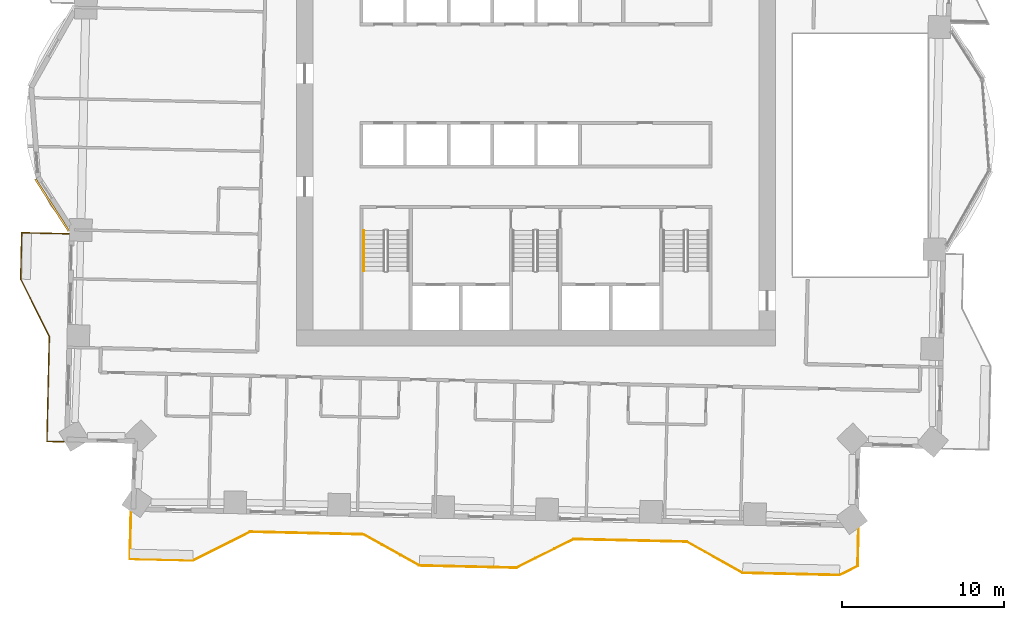
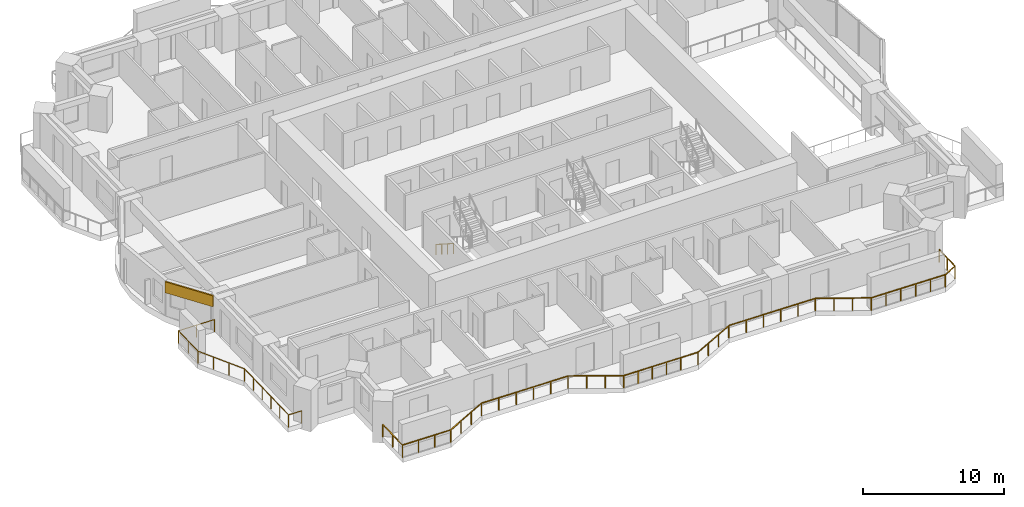
# One storey, part 13 of 16: 3 railings, 1 covering.
"""IFC4 building model written with IfcOpenShell, lengths in metres."""

from ifc_helpers import new_model, si_unit, direction, frame, frame_2d, origin, origin_2d, place, context, subcontext, project, spatial, rectangle, circle, extrude, material, layer, layer_set, type_object, element, save


model = new_model("IFC4")

# Units and contexts
model_context = context("Model", 3, precision=1e-05, world=origin(), true_north=direction((0.0, 1.0)))
body_context = subcontext(model_context, "Body", "Model", "MODEL_VIEW")
ifc_project = project(units=[si_unit("LENGTHUNIT", "METRE"), si_unit("AREAUNIT", "SQUARE_METRE"), si_unit("VOLUMEUNIT", "CUBIC_METRE"), si_unit("PLANEANGLEUNIT", "RADIAN"), si_unit("MASSUNIT", "GRAM", prefix="KILO")], contexts=[model_context])

# Site, building, storey
site_placement = place(None, origin())
site = spatial("IfcSite", under=ifc_project, at=site_placement, CompositionType="ELEMENT")
building_placement = place(site_placement, origin())
building = spatial("IfcBuilding", under=site, at=building_placement, Name="Mangrove Gate Tower", CompositionType="ELEMENT")
storey_placement = place(building_placement, frame((0.0, 0.0, 105.5)))
storey = spatial("IfcBuildingStorey", under=building, at=storey_placement, Name="L26", CompositionType="ELEMENT", Elevation=105.5)

# Railings
ifc_material_1 = material(Name="Stainless steel grade 316 with laminated glass infill", Category="steel")
railing_type_1 = type_object("IfcRailingType", Name="Balcony guard 1100", PredefinedType="GUARDRAIL", material=ifc_material_1)
railing_1_placement = place(storey_placement, frame((-28.89892578125, -4.85791015625, 0.0)))
element("IfcRailing", 1, at=railing_1_placement, inside=storey, type_object=railing_type_1, Name="GUARD L26 W2", PredefinedType="GUARDRAIL", context=body_context, shape_type="SweptSolid", body=[
    extrude(rectangle(XDim=0.048095703125, YDim=0.048095703125, at=origin_2d()), frame((0.0, 0.0, 1.076171875), z_axis=(-0.999743392495, 0.022652795902, 0.0), x_axis=(-0.022652795902, -0.999743392495, 0.0)), (0.0, 0.0, 1.0), 2.909912109375),
    extrude(rectangle(XDim=0.048095703125, YDim=0.048095703125, at=origin_2d()), frame((-2.9091796875, 0.06591796875, 1.076171875), z_axis=(-0.022590224177, -0.999744808324, 0.0), x_axis=(0.999744808324, -0.022590224177, 0.0)), (0.0, 0.0, 1.0), 2.874755859375),
    extrude(rectangle(XDim=0.048095703125, YDim=0.048095703125, at=origin_2d()), frame((-2.97412109375, -2.80810546875, 1.076171875), z_axis=(0.447114919141, -0.894476522376, 0.0), x_axis=(0.894476522376, 0.447114919141, 0.0)), (0.0, 0.0, 1.0), 3.958740234375),
    extrude(rectangle(XDim=0.048095703125, YDim=0.048095703125, at=origin_2d()), frame((-1.2041015625, -6.34912109375, 1.076171875), z_axis=(-0.022612191, -0.999744311721, 0.0), x_axis=(0.999744311721, -0.022612191, 0.0)), (0.0, 0.0, 1.0), 6.499755859375),
    extrude(rectangle(XDim=0.048095703125, YDim=0.048095703125, at=origin_2d()), frame((-1.35107421875, -12.84716796875, 1.076171875), z_axis=(0.999744919731, -0.022585293253, 0.0), x_axis=(0.022585293253, 0.999744919731, 0.0)), (0.0, 0.0, 1.0), 1.059326171875),
    extrude(rectangle(XDim=0.0419921875, YDim=0.0419921875, at=origin_2d()), origin(), (0.0, 0.0, 1.0), 1.052001953125),
    extrude(rectangle(XDim=0.0419921875, YDim=0.0419921875, at=origin_2d()), frame((-1.45458984375, 0.032958984375, 0.0)), (0.0, 0.0, 1.0), 1.052001953125),
    extrude(rectangle(XDim=0.0419921875, YDim=0.0419921875, at=origin_2d()), frame((-2.9091796875, 0.06591796875, 0.0)), (0.0, 0.0, 1.0), 1.052001953125),
    extrude(rectangle(XDim=0.0419921875, YDim=0.0419921875, at=origin_2d()), frame((-2.941650390625, -1.37109375, 0.0)), (0.0, 0.0, 1.0), 1.052001953125),
    extrude(rectangle(XDim=0.0419921875, YDim=0.0419921875, at=origin_2d()), frame((-2.97412109375, -2.80810546875, 0.0)), (0.0, 0.0, 1.0), 1.052001953125),
    extrude(rectangle(XDim=0.0419921875, YDim=0.0419921875, at=origin_2d()), frame((-2.384033203125, -3.988525390625, 0.0)), (0.0, 0.0, 1.0), 1.052001953125),
    extrude(rectangle(XDim=0.0419921875, YDim=0.0419921875, at=origin_2d()), frame((-1.794189453125, -5.168701171875, 0.0)), (0.0, 0.0, 1.0), 1.052001953125),
    extrude(rectangle(XDim=0.0419921875, YDim=0.0419921875, at=origin_2d()), frame((-1.2041015625, -6.34912109375, 0.0)), (0.0, 0.0, 1.0), 1.052001953125),
    extrude(rectangle(XDim=0.0419921875, YDim=0.0419921875, at=origin_2d()), frame((-1.2333984375, -7.648681640625, 0.0)), (0.0, 0.0, 1.0), 1.052001953125),
    extrude(rectangle(XDim=0.0419921875, YDim=0.0419921875, at=origin_2d()), frame((-1.262939453125, -8.9482421875, 0.0)), (0.0, 0.0, 1.0), 1.052001953125),
    extrude(rectangle(XDim=0.0419921875, YDim=0.0419921875, at=origin_2d()), frame((-1.292236328125, -10.248046875, 0.0)), (0.0, 0.0, 1.0), 1.052001953125),
    extrude(rectangle(XDim=0.0419921875, YDim=0.0419921875, at=origin_2d()), frame((-1.32177734375, -11.547607421875, 0.0)), (0.0, 0.0, 1.0), 1.052001953125),
    extrude(rectangle(XDim=0.0419921875, YDim=0.0419921875, at=origin_2d()), frame((-1.35107421875, -12.84716796875, 0.0)), (0.0, 0.0, 1.0), 1.052001953125),
    extrude(rectangle(XDim=0.0419921875, YDim=0.0419921875, at=origin_2d()), frame((-0.2919921875, -12.87109375, 0.0)), (0.0, 0.0, 1.0), 1.052001953125),
])
railing_2_placement = place(storey_placement, frame((-25.048095703125, -22.06396484375, 0.0)))
element("IfcRailing", 2, at=railing_2_placement, inside=storey, type_object=railing_type_1, Name="GUARD L26 S1", PredefinedType="GUARDRAIL", context=body_context, shape_type="SweptSolid", body=[
    extrude(rectangle(XDim=0.048095703125, YDim=0.048095703125, at=origin_2d()), frame((0.0, 0.0, 1.076171875), z_axis=(-0.022654696127, -0.999743349437, 0.0), x_axis=(0.999743349437, -0.022654696127, 0.0)), (0.0, 0.0, 1.0), 2.90966796875),
    extrude(rectangle(XDim=0.048095703125, YDim=0.048095703125, at=origin_2d()), frame((-0.06591796875, -2.908935546875, 1.076171875), z_axis=(0.999739473419, -0.022825102133, 0.0), x_axis=(0.022825102133, 0.999739473419, 0.0)), (0.0, 0.0, 1.0), 3.904052734375),
    extrude(rectangle(XDim=0.048095703125, YDim=0.048095703125, at=origin_2d()), frame((3.837158203125, -2.998046875, 1.076171875), z_axis=(0.894476522376, 0.447114919141, 0.0), x_axis=(-0.447114919141, 0.894476522376, 0.0)), (0.0, 0.0, 1.0), 3.958740234375),
    extrude(rectangle(XDim=0.048095703125, YDim=0.048095703125, at=origin_2d()), frame((7.378173828125, -1.22802734375, 1.076171875), z_axis=(0.999742177561, -0.022706351659, 0.0), x_axis=(0.022706351659, 0.999742177561, 0.0)), (0.0, 0.0, 1.0), 6.99951171875),
    extrude(rectangle(XDim=0.048095703125, YDim=0.048095703125, at=origin_2d()), frame((14.3759765625, -1.386962890625, 1.076171875), z_axis=(0.87325689943, -0.48726008209, 0.0), x_axis=(0.48726008209, 0.87325689943, 0.0)), (0.0, 0.0, 1.0), 3.958740234375),
    extrude(rectangle(XDim=0.048095703125, YDim=0.048095703125, at=origin_2d()), frame((17.8330078125, -3.31591796875, 1.076171875), z_axis=(0.999744404568, -0.02260808559, 0.0), x_axis=(0.02260808559, 0.999744404568, 0.0)), (0.0, 0.0, 1.0), 4.600341796875),
    extrude(rectangle(XDim=0.048095703125, YDim=0.048095703125, at=origin_2d()), frame((22.43212890625, -3.419921875, 1.076171875), z_axis=(0.999735131741, -0.023014481582, 0.0), x_axis=(0.023014481582, 0.999735131741, 0.0)), (0.0, 0.0, 1.0), 1.400390625),
    extrude(rectangle(XDim=0.048095703125, YDim=0.048095703125, at=origin_2d()), frame((23.83203125, -3.4521484375, 1.076171875), z_axis=(0.894476522376, 0.447114919141, 0.0), x_axis=(-0.447114919141, 0.894476522376, 0.0)), (0.0, 0.0, 1.0), 3.958740234375),
    extrude(rectangle(XDim=0.048095703125, YDim=0.048095703125, at=origin_2d()), frame((27.373046875, -1.68212890625, 1.076171875), z_axis=(0.999745352708, -0.022566119286, 0.0), x_axis=(0.022566119286, 0.999745352708, 0.0)), (0.0, 0.0, 1.0), 6.999755859375),
    extrude(rectangle(XDim=0.048095703125, YDim=0.048095703125, at=origin_2d()), frame((34.37109375, -1.840087890625, 1.076171875), z_axis=(0.87325689943, -0.48726008209, 0.0), x_axis=(0.48726008209, 0.87325689943, 0.0)), (0.0, 0.0, 1.0), 3.958740234375),
    extrude(rectangle(XDim=0.048095703125, YDim=0.048095703125, at=origin_2d()), frame((37.828125, -3.76904296875, 1.076171875), z_axis=(0.999743178102, -0.022662255828, 0.0), x_axis=(0.022662255828, 0.999743178102, 0.0)), (0.0, 0.0, 1.0), 6.00048828125),
    extrude(rectangle(XDim=0.048095703125, YDim=0.048095703125, at=origin_2d()), frame((43.8271484375, -3.905029296875, 1.076171875), z_axis=(0.894544477533, 0.446978945495, 0.0), x_axis=(-0.446978945495, 0.894544477533, 0.0)), (0.0, 0.0, 1.0), 1.24853515625),
    extrude(rectangle(XDim=0.048095703125, YDim=0.048095703125, at=origin_2d()), frame((44.944091796875, -3.346923828125, 1.076171875), z_axis=(0.022351924535, 0.999750164526, 0.0), x_axis=(-0.999750164526, 0.022351924535, 0.0)), (0.0, 0.0, 1.0), 2.326416015625),
    extrude(rectangle(XDim=0.0419921875, YDim=0.0419921875, at=origin_2d()), origin(), (0.0, 0.0, 1.0), 1.052001953125),
    extrude(rectangle(XDim=0.0419921875, YDim=0.0419921875, at=origin_2d()), frame((-0.032958984375, -1.45458984375, 0.0)), (0.0, 0.0, 1.0), 1.052001953125),
    extrude(rectangle(XDim=0.0419921875, YDim=0.0419921875, at=origin_2d()), frame((-0.06591796875, -2.908935546875, 0.0)), (0.0, 0.0, 1.0), 1.052001953125),
    extrude(rectangle(XDim=0.0419921875, YDim=0.0419921875, at=origin_2d()), frame((1.235107421875, -2.938720703125, 0.0)), (0.0, 0.0, 1.0), 1.052001953125),
    extrude(rectangle(XDim=0.0419921875, YDim=0.0419921875, at=origin_2d()), frame((2.5361328125, -2.96826171875, 0.0)), (0.0, 0.0, 1.0), 1.052001953125),
    extrude(rectangle(XDim=0.0419921875, YDim=0.0419921875, at=origin_2d()), frame((3.837158203125, -2.998046875, 0.0)), (0.0, 0.0, 1.0), 1.052001953125),
    extrude(rectangle(XDim=0.0419921875, YDim=0.0419921875, at=origin_2d()), frame((5.017578125, -2.407958984375, 0.0)), (0.0, 0.0, 1.0), 1.052001953125),
    extrude(rectangle(XDim=0.0419921875, YDim=0.0419921875, at=origin_2d()), frame((6.19775390625, -1.818115234375, 0.0)), (0.0, 0.0, 1.0), 1.052001953125),
    extrude(rectangle(XDim=0.0419921875, YDim=0.0419921875, at=origin_2d()), frame((7.378173828125, -1.22802734375, 0.0)), (0.0, 0.0, 1.0), 1.052001953125),
    extrude(rectangle(XDim=0.0419921875, YDim=0.0419921875, at=origin_2d()), frame((8.77783203125, -1.259765625, 0.0)), (0.0, 0.0, 1.0), 1.052001953125),
    extrude(rectangle(XDim=0.0419921875, YDim=0.0419921875, at=origin_2d()), frame((10.17724609375, -1.29150390625, 0.0)), (0.0, 0.0, 1.0), 1.052001953125),
    extrude(rectangle(XDim=0.0419921875, YDim=0.0419921875, at=origin_2d()), frame((11.576904296875, -1.323486328125, 0.0)), (0.0, 0.0, 1.0), 1.052001953125),
    extrude(rectangle(XDim=0.0419921875, YDim=0.0419921875, at=origin_2d()), frame((12.976318359375, -1.355224609375, 0.0)), (0.0, 0.0, 1.0), 1.052001953125),
    extrude(rectangle(XDim=0.0419921875, YDim=0.0419921875, at=origin_2d()), frame((14.3759765625, -1.386962890625, 0.0)), (0.0, 0.0, 1.0), 1.052001953125),
    extrude(rectangle(XDim=0.0419921875, YDim=0.0419921875, at=origin_2d()), frame((15.5283203125, -2.030029296875, 0.0)), (0.0, 0.0, 1.0), 1.052001953125),
    extrude(rectangle(XDim=0.0419921875, YDim=0.0419921875, at=origin_2d()), frame((16.6806640625, -2.6728515625, 0.0)), (0.0, 0.0, 1.0), 1.052001953125),
    extrude(rectangle(XDim=0.0419921875, YDim=0.0419921875, at=origin_2d()), frame((17.8330078125, -3.31591796875, 0.0)), (0.0, 0.0, 1.0), 1.052001953125),
    extrude(rectangle(XDim=0.0419921875, YDim=0.0419921875, at=origin_2d()), frame((18.98291015625, -3.341796875, 0.0)), (0.0, 0.0, 1.0), 1.052001953125),
    extrude(rectangle(XDim=0.0419921875, YDim=0.0419921875, at=origin_2d()), frame((20.132568359375, -3.367919921875, 0.0)), (0.0, 0.0, 1.0), 1.052001953125),
    extrude(rectangle(XDim=0.0419921875, YDim=0.0419921875, at=origin_2d()), frame((21.2822265625, -3.39404296875, 0.0)), (0.0, 0.0, 1.0), 1.052001953125),
    extrude(rectangle(XDim=0.0419921875, YDim=0.0419921875, at=origin_2d()), frame((22.43212890625, -3.419921875, 0.0)), (0.0, 0.0, 1.0), 1.052001953125),
    extrude(rectangle(XDim=0.0419921875, YDim=0.0419921875, at=origin_2d()), frame((23.83203125, -3.4521484375, 0.0)), (0.0, 0.0, 1.0), 1.052001953125),
    extrude(rectangle(XDim=0.0419921875, YDim=0.0419921875, at=origin_2d()), frame((25.012451171875, -2.862060546875, 0.0)), (0.0, 0.0, 1.0), 1.052001953125),
    extrude(rectangle(XDim=0.0419921875, YDim=0.0419921875, at=origin_2d()), frame((26.192626953125, -2.272216796875, 0.0)), (0.0, 0.0, 1.0), 1.052001953125),
    extrude(rectangle(XDim=0.0419921875, YDim=0.0419921875, at=origin_2d()), frame((27.373046875, -1.68212890625, 0.0)), (0.0, 0.0, 1.0), 1.052001953125),
    extrude(rectangle(XDim=0.0419921875, YDim=0.0419921875, at=origin_2d()), frame((28.772705078125, -1.713623046875, 0.0)), (0.0, 0.0, 1.0), 1.052001953125),
    extrude(rectangle(XDim=0.0419921875, YDim=0.0419921875, at=origin_2d()), frame((30.17236328125, -1.745361328125, 0.0)), (0.0, 0.0, 1.0), 1.052001953125),
    extrude(rectangle(XDim=0.0419921875, YDim=0.0419921875, at=origin_2d()), frame((31.57177734375, -1.77685546875, 0.0)), (0.0, 0.0, 1.0), 1.052001953125),
    extrude(rectangle(XDim=0.0419921875, YDim=0.0419921875, at=origin_2d()), frame((32.971435546875, -1.80859375, 0.0)), (0.0, 0.0, 1.0), 1.052001953125),
    extrude(rectangle(XDim=0.0419921875, YDim=0.0419921875, at=origin_2d()), frame((34.37109375, -1.840087890625, 0.0)), (0.0, 0.0, 1.0), 1.052001953125),
    extrude(rectangle(XDim=0.0419921875, YDim=0.0419921875, at=origin_2d()), frame((35.5234375, -2.483154296875, 0.0)), (0.0, 0.0, 1.0), 1.052001953125),
    extrude(rectangle(XDim=0.0419921875, YDim=0.0419921875, at=origin_2d()), frame((36.67578125, -3.1259765625, 0.0)), (0.0, 0.0, 1.0), 1.052001953125),
    extrude(rectangle(XDim=0.0419921875, YDim=0.0419921875, at=origin_2d()), frame((37.828125, -3.76904296875, 0.0)), (0.0, 0.0, 1.0), 1.052001953125),
    extrude(rectangle(XDim=0.0419921875, YDim=0.0419921875, at=origin_2d()), frame((39.02783203125, -3.796142578125, 0.0)), (0.0, 0.0, 1.0), 1.052001953125),
    extrude(rectangle(XDim=0.0419921875, YDim=0.0419921875, at=origin_2d()), frame((40.227783203125, -3.823486328125, 0.0)), (0.0, 0.0, 1.0), 1.052001953125),
    extrude(rectangle(XDim=0.0419921875, YDim=0.0419921875, at=origin_2d()), frame((41.427490234375, -3.8505859375, 0.0)), (0.0, 0.0, 1.0), 1.052001953125),
    extrude(rectangle(XDim=0.0419921875, YDim=0.0419921875, at=origin_2d()), frame((42.62744140625, -3.8779296875, 0.0)), (0.0, 0.0, 1.0), 1.052001953125),
    extrude(rectangle(XDim=0.0419921875, YDim=0.0419921875, at=origin_2d()), frame((43.8271484375, -3.905029296875, 0.0)), (0.0, 0.0, 1.0), 1.052001953125),
    extrude(rectangle(XDim=0.0419921875, YDim=0.0419921875, at=origin_2d()), frame((44.944091796875, -3.346923828125, 0.0)), (0.0, 0.0, 1.0), 1.052001953125),
    extrude(rectangle(XDim=0.0419921875, YDim=0.0419921875, at=origin_2d()), frame((44.97021484375, -2.18408203125, 0.0)), (0.0, 0.0, 1.0), 1.052001953125),
    extrude(rectangle(XDim=0.0419921875, YDim=0.0419921875, at=origin_2d()), frame((44.99609375, -1.02099609375, 0.0)), (0.0, 0.0, 1.0), 1.052001953125),
])
ifc_material_2 = material(Name="Stainless steel 316", Category="steel")
railing_type_2 = type_object("IfcRailingType", Name="Core stair handrail 900", PredefinedType="HANDRAIL", material=ifc_material_2)
railing_3_placement = place(storey_placement, frame((-10.64990234375, -4.64990234375, 0.179931640625)))
element("IfcRailing", 3, at=railing_3_placement, inside=storey, type_object=railing_type_2, Name="L26 ST1 stair handrail 1", PredefinedType="HANDRAIL", context=body_context, shape_type="SweptSolid", body=[
    extrude(circle(Radius=0.02392578125, at=origin_2d()), frame((0.0, 0.0, 0.8759765625), z_axis=(0.0, -0.841162588446, 0.540782303519), x_axis=(1.0, 0.0, 0.0)), (0.0, 0.0, 1.0), 2.995849609375),
    extrude(circle(Radius=0.02099609375, at=origin_2d()), origin(), (0.0, 0.0, 1.0), 0.851806640625),
    extrude(circle(Radius=0.02099609375, at=origin_2d()), frame((0.0, -0.840087890625, 0.5400390625)), (0.0, 0.0, 1.0), 0.851806640625),
    extrude(circle(Radius=0.02099609375, at=origin_2d()), frame((0.0, -1.679931640625, 1.080078125)), (0.0, 0.0, 1.0), 0.851806640625),
    extrude(circle(Radius=0.02099609375, at=origin_2d()), frame((0.0, -2.52001953125, 1.6201171875)), (0.0, 0.0, 1.0), 0.851806640625),
])

# Covering
ifc_material_3 = material(Name="Limestone", Category="masonry")
ifc_layer_1 = layer(ifc_material_3, 0.0400390625, Name="Limestone cladding")
ifc_material_4 = material(Name="Stainless steel anchors and cavity", Category="steel")
ifc_layer_2 = layer(ifc_material_4, 0.080078125, Name="Fixing cavity")
ifc_layer_set = layer_set([ifc_layer_1, ifc_layer_2], Name="Joint fascia cladding 120")
covering_type = type_object("IfcCoveringType", Name="Joint fascia cladding 120", PredefinedType="CLADDING", material=ifc_layer_set)
covering_placement = place(storey_placement, frame((-30.962890625, -1.47412109375, 2.10009765625), z_axis=(0.0, 0.0, 1.0), x_axis=(0.540486138148, -0.841352919095, 0.0)))
element("IfcCovering", 4, at=covering_placement, inside=storey, type_object=covering_type, Name="STONE FASCIA L26 W9.L2", PredefinedType="CLADDING", context=body_context, shape_type="SweptSolid", body=[
    extrude(rectangle(XDim=3.818603515625, YDim=0.1201171875, at=frame_2d((1.9091796875, 0.0))), origin(), (0.0, 0.0, 1.0), 0.949951171875),
])

save(model, "model.ifc")
